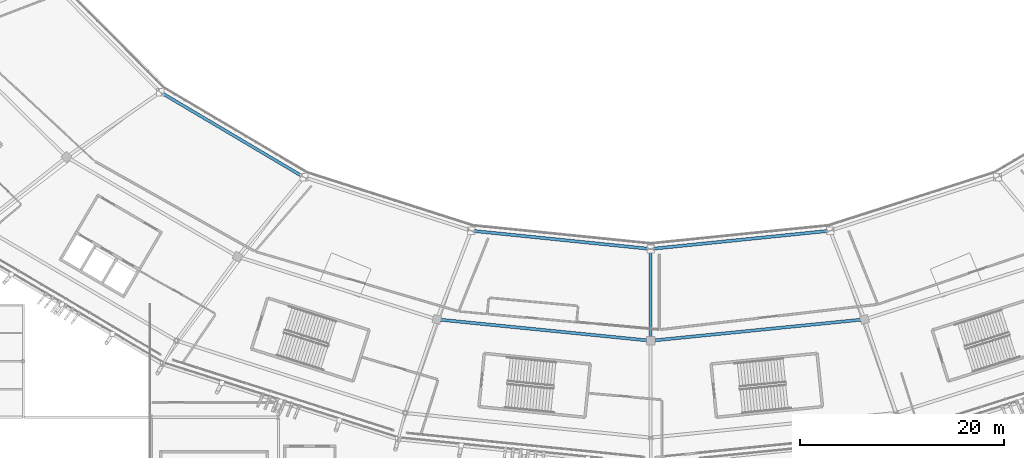
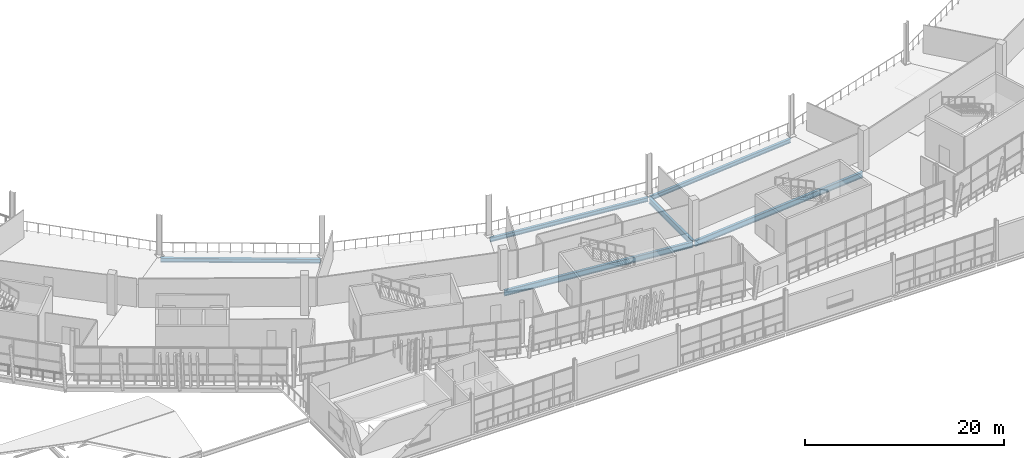
# One storey, part 38 of 179: 6 beams.
"""IFC4 building model written with IfcOpenShell, lengths in metres."""

from ifc_helpers import new_model, si_unit, direction, frame, origin, origin_2d, place, context, subcontext, project, spatial, i_section, extrude, material, material_profile, profile_set, type_object, element, save


model = new_model("IFC4")

# Units and contexts
model_context = context("Model", 3, precision=1e-05, world=origin(), true_north=direction((0.0, 1.0)))
body_context = subcontext(model_context, "Body", "Model", "MODEL_VIEW")
ifc_project = project(units=[si_unit("LENGTHUNIT", "METRE"), si_unit("AREAUNIT", "SQUARE_METRE"), si_unit("VOLUMEUNIT", "CUBIC_METRE"), si_unit("PLANEANGLEUNIT", "RADIAN"), si_unit("MASSUNIT", "GRAM", prefix="KILO")], contexts=[model_context])

# Site, building, storey
site_placement = place(None, origin())
site = spatial("IfcSite", under=ifc_project, at=site_placement, CompositionType="ELEMENT")
building_placement = place(site_placement, origin())
building = spatial("IfcBuilding", under=site, at=building_placement, Name="Zlatoyarsky Gate Stadium", CompositionType="ELEMENT")
storey_placement = place(building_placement, frame((0.0, 0.0, 10.60009765625)))
storey = spatial("IfcBuildingStorey", under=building, at=storey_placement, Name="L02", CompositionType="ELEMENT", Elevation=10.60009765625)

# Beams
ifc_material = material(Name="Steel S355", Category="steel")
ifc_material_profile_1 = material_profile(ifc_material, i_section(OverallWidth=0.300048828125, OverallDepth=0.5, WebThickness=0.014404296875, FlangeThickness=0.028076171875, FilletRadius=0.027099609375, at=origin_2d()), Name="HEB 500")
ifc_profile_set_1 = profile_set([ifc_material_profile_1], Name="Steel S355")
beam_type_1 = type_object("IfcBeamType", Name="STEEL PRIMARY GIRDER HEB 500", PredefinedType="BEAM", material=ifc_profile_set_1)
beam_1_placement = place(storey_placement, frame((63.02001953125, 42.815673828125, -0.530029296875), z_axis=(0.860360371321, -0.50968620882, 0.0), x_axis=(0.50968620882, 0.860360371321, 0.0)))
element("IfcBeam", 1, at=beam_1_placement, inside=storey, type_object=beam_type_1, Name="Beam G-HEB500 BM-L02-CRA-15", PredefinedType="BEAM", context=body_context, shape_type="SweptSolid", body=[
    extrude(i_section(OverallWidth=0.300048828125, OverallDepth=0.5, WebThickness=0.014404296875, FlangeThickness=0.028076171875, FilletRadius=0.027099609375, at=origin_2d()), origin(), (0.0, 0.0, 1.0), 16.12890625),
])
for number, where, z_axis, x_axis, name in (
    (2, (93.519775390625, 29.27685546875, -0.530029296875), (0.994873800639, -0.101124283941, 0.0), (0.101124283941, 0.994873800639, 0.0), "Beam G-HEB500 BM-L02-CRA-17"),
    (3, (111.119384765625, 27.51220703125, -0.530029296875), (0.994873800639, 0.101124283941, 0.0), (-0.101124283941, 0.994873800639, 0.0), "Beam G-HEB500 BM-L02-CRA-18"),
):
    element("IfcBeam", number, at=place(storey_placement, frame(where, z_axis=z_axis, x_axis=x_axis)), inside=storey, type_object=beam_type_1, Name=name, PredefinedType="BEAM", context=body_context, shape_type="SweptSolid", body=[
        extrude(i_section(OverallWidth=0.300048828125, OverallDepth=0.5, WebThickness=0.014404296875, FlangeThickness=0.028076171875, FilletRadius=0.027099609375, at=origin_2d()), origin(), (0.0, 0.0, 1.0), 17.4501953125),
    ])
ifc_material_profile_2 = material_profile(ifc_material, i_section(OverallWidth=0.300048828125, OverallDepth=0.699951171875, WebThickness=0.01708984375, FlangeThickness=0.031982421875, FilletRadius=0.027099609375, at=origin_2d()), Name="HEB 700")
ifc_profile_set_2 = profile_set([ifc_material_profile_2], Name="Steel S355")
beam_type_2 = type_object("IfcBeamType", Name="STEEL PRIMARY GIRDER HEB 700", PredefinedType="BEAM", material=ifc_profile_set_2)
beam_2_placement = place(storey_placement, frame((90.155029296875, 20.583740234375, -0.630126953125), z_axis=(0.995040903182, -0.099466582298, 0.0), x_axis=(0.099466582298, 0.995040903182, 0.0)))
element("IfcBeam", 4, at=beam_2_placement, inside=storey, type_object=beam_type_2, Name="Beam G-HEB700 BM-L02-CRB-17", PredefinedType="BEAM", context=body_context, shape_type="SweptSolid", body=[
    extrude(i_section(OverallWidth=0.300048828125, OverallDepth=0.699951171875, WebThickness=0.01708984375, FlangeThickness=0.031982421875, FilletRadius=0.027099609375, at=origin_2d()), origin(), (0.0, 0.0, 1.0), 20.828857421875),
])
beam_3_placement = place(storey_placement, frame((111.0, 27.3798828125, -0.630126953125), z_axis=(0.0, -1.0, 0.0), x_axis=(1.0, 0.0, 0.0)))
element("IfcBeam", 5, at=beam_3_placement, inside=storey, type_object=beam_type_2, Name="Beam G-HEB700 BM-L02-RAB-18", PredefinedType="BEAM", context=body_context, shape_type="SweptSolid", body=[
    extrude(i_section(OverallWidth=0.300048828125, OverallDepth=0.699951171875, WebThickness=0.01708984375, FlangeThickness=0.031982421875, FilletRadius=0.027099609375, at=origin_2d()), origin(), (0.0, 0.0, 1.0), 8.759765625),
])
beam_4_placement = place(storey_placement, frame((111.119384765625, 18.511962890625, -0.630126953125), z_axis=(0.995040903182, 0.099466582298, 0.0), x_axis=(-0.099466582298, 0.995040903182, 0.0)))
element("IfcBeam", 6, at=beam_4_placement, inside=storey, type_object=beam_type_2, Name="Beam G-HEB700 BM-L02-CRB-18", PredefinedType="BEAM", context=body_context, shape_type="SweptSolid", body=[
    extrude(i_section(OverallWidth=0.300048828125, OverallDepth=0.699951171875, WebThickness=0.01708984375, FlangeThickness=0.031982421875, FilletRadius=0.027099609375, at=origin_2d()), origin(), (0.0, 0.0, 1.0), 20.828857421875),
])

save(model, "model.ifc")
